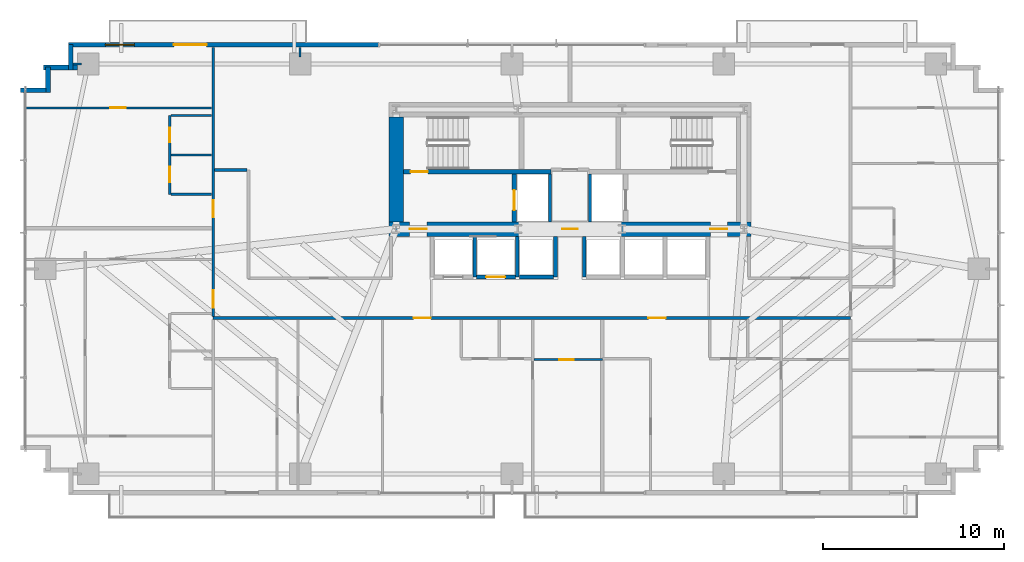
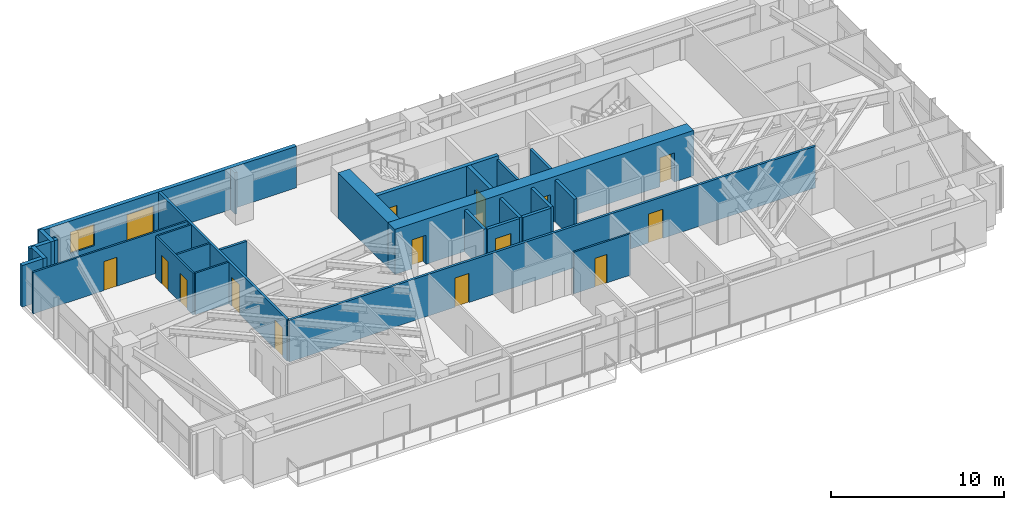
# One storey, part 20 of 25: 28 walls, 15 doors, 1 window, 16 openings.
"""IFC4 building model written with IfcOpenShell, lengths in metres."""

from ifc_helpers import new_model, si_unit, direction, frame, frame_2d, origin, place, context, subcontext, project, spatial, rectangle, extrude, source, transform, mapped, material, layer, layer_set, type_object, type_shapes, element, fill, save


model = new_model("IFC4")

# Units and contexts
model_context = context("Model", 3, precision=1e-05, world=origin(), true_north=direction((0.0, 1.0)))
body_context = subcontext(model_context, "Body", "Model", "MODEL_VIEW")
ifc_project = project(units=[si_unit("LENGTHUNIT", "METRE"), si_unit("AREAUNIT", "SQUARE_METRE"), si_unit("VOLUMEUNIT", "CUBIC_METRE"), si_unit("PLANEANGLEUNIT", "RADIAN"), si_unit("MASSUNIT", "GRAM", prefix="KILO")], contexts=[model_context])

# Site, building, storey
site_placement = place(None, origin())
site = spatial("IfcSite", under=ifc_project, at=site_placement, CompositionType="ELEMENT")
building_placement = place(site_placement, origin())
building = spatial("IfcBuilding", under=site, at=building_placement, Name="Astriad Promenade Condominiums", CompositionType="ELEMENT")
storey_placement = place(building_placement, frame((0.0, 0.0, 39.0)))
storey = spatial("IfcBuildingStorey", under=building, at=storey_placement, Name="L10", CompositionType="ELEMENT", Elevation=39.0)

# Wall, openings, doors
ifc_material_1 = material(Name="Concrete C80/95", Category="concrete")
ifc_layer_1 = layer(ifc_material_1, 0.800048828125)
ifc_layer_set_1 = layer_set([ifc_layer_1], Name="Concrete C80/95")
wall_type_1 = type_object("IfcWallType", Name="CW-SHEAR-800", PredefinedType="SHEAR", material=ifc_layer_set_1)
wall_1_placement = place(storey_placement, frame((26.0, 17.39990234375, 0.0), z_axis=(0.0, 0.0, 1.0), x_axis=(1.0, 0.0, 0.0)))
wall_1 = element("IfcWall", 1, at=wall_1_placement, inside=storey, type_object=wall_type_1, Name="CW-CORE-S-L10", PredefinedType="SHEAR", context=body_context, shape_type="SweptSolid", body=[
    extrude(rectangle(XDim=20.0, YDim=0.800048828125, at=frame_2d((10.0, 0.0))), origin(), (0.0, 0.0, 1.0), 3.199951171875),
])
opening_1_placement = place(wall_1_placement, frame((1.14990234375, 0.0, 0.0)))
opening_1 = element("IfcOpeningElement", 2, at=opening_1_placement, cuts=wall_1, Name="Opening FD90-ST-095", PredefinedType="OPENING", context=body_context, shape_type="SweptSolid", body=[
    extrude(rectangle(XDim=0.949951171875, YDim=2.06005859375, at=frame_2d((0.47509765625, 1.030029296875))), frame((0.0, 0.409912109375, 0.0), z_axis=(0.0, -1.0, 0.0), x_axis=(1.0, 0.0, 0.0)), (0.0, 0.0, 1.0), 0.820068359375),
])
opening_2_placement = place(wall_1_placement, frame((9.580078125, 0.0, 0.0)))
opening_2 = element("IfcOpeningElement", 3, at=opening_2_placement, cuts=wall_1, Name="Opening FD60-ULOW-085", PredefinedType="OPENING", context=body_context, shape_type="SweptSolid", body=[
    extrude(rectangle(XDim=0.85009765625, YDim=2.0, at=frame_2d((0.425048828125, 1.0))), frame((0.0, 0.409912109375, 0.0), z_axis=(0.0, -1.0, 0.0), x_axis=(1.0, 0.0, 0.0)), (0.0, 0.0, 1.0), 0.820068359375),
])
opening_3_placement = place(wall_1_placement, frame((17.75, 0.0, 0.0)))
opening_3 = element("IfcOpeningElement", 4, at=opening_3_placement, cuts=wall_1, Name="Opening FD90-ST-095", PredefinedType="OPENING", context=body_context, shape_type="SweptSolid", body=[
    extrude(rectangle(XDim=0.949951171875, YDim=2.06005859375, at=frame_2d((0.47509765625, 1.030029296875))), frame((0.0, 0.409912109375, 0.0), z_axis=(0.0, -1.0, 0.0), x_axis=(1.0, 0.0, 0.0)), (0.0, 0.0, 1.0), 0.820068359375),
])
ifc_material_2 = material(Name="Fire-Rated Hollow Metal Stair Door")
door_type_1 = type_object("IfcDoorType", Name="FD90-ST-095", OperationType="NOTDEFINED", PredefinedType="DOOR", material=ifc_material_2)
shared_shape_1 = source(origin(), body_context, "Body", "SweptSolid", [
    extrude(rectangle(XDim=0.949951171875, YDim=2.06005859375, at=frame_2d((0.47509765625, 1.030029296875))), frame((0.0, 0.02490234375, 0.0), z_axis=(0.0, -1.0, 0.0), x_axis=(1.0, 0.0, 0.0)), (0.0, 0.0, 1.0), 0.050048828125),
])
type_shapes(door_type_1, [shared_shape_1])
door_1_placement = place(opening_1_placement, origin())
door_1 = element("IfcDoor", 5, at=door_1_placement, inside=storey, type_object=door_type_1, Name="D-FFW-L10", OperationType="SINGLE_SWING_LEFT", OverallHeight=2.06005859375, OverallWidth=0.949951171875, PredefinedType="DOOR", context=body_context, shape_type="MappedRepresentation", body=[
    mapped(shared_shape_1, transform((0.0, 0.0, 0.0), scale=1.0)),
])
fill(opening_1, door_1)
door_2_placement = place(opening_3_placement, origin())
door_2 = element("IfcDoor", 6, at=door_2_placement, inside=storey, type_object=door_type_1, Name="D-FFE-L10", OperationType="SINGLE_SWING_RIGHT", OverallHeight=2.06005859375, OverallWidth=0.949951171875, PredefinedType="DOOR", context=body_context, shape_type="MappedRepresentation", body=[
    mapped(shared_shape_1, transform((0.0, 0.0, 0.0), scale=1.0)),
])
fill(opening_3, door_2)
ifc_material_3 = material(Name="Solid-Core Low-Headroom Fire Door")
door_type_2 = type_object("IfcDoorType", Name="FD60-ULOW-085", OperationType="NOTDEFINED", PredefinedType="DOOR", material=ifc_material_3)
shared_shape_2 = source(origin(), body_context, "Body", "SweptSolid", [
    extrude(rectangle(XDim=0.85009765625, YDim=2.0, at=frame_2d((0.425048828125, 1.0))), frame((0.0, 0.02490234375, 0.0), z_axis=(0.0, -1.0, 0.0), x_axis=(1.0, 0.0, 0.0)), (0.0, 0.0, 1.0), 0.050048828125),
])
type_shapes(door_type_2, [shared_shape_2])
door_3_placement = place(opening_2_placement, origin())
door_3 = element("IfcDoor", 7, at=door_3_placement, inside=storey, type_object=door_type_2, Name="D-CSL-L10", OperationType="SINGLE_SWING_RIGHT", OverallHeight=2.0, OverallWidth=0.85009765625, PredefinedType="DOOR", context=body_context, shape_type="MappedRepresentation", body=[
    mapped(shared_shape_2, transform((0.0, 0.0, 0.0), scale=1.0)),
])
fill(opening_2, door_3)

# Wall
wall_2_placement = place(storey_placement, frame((26.39990234375, 17.802001953125, 0.0), z_axis=(0.0, 0.0, 1.0), x_axis=(0.0, 1.0, 0.0)))
element("IfcWall", 8, at=wall_2_placement, inside=storey, type_object=wall_type_1, Name="CW-CORE-W-L10", PredefinedType="SHEAR", context=body_context, shape_type="SweptSolid", body=[
    extrude(rectangle(XDim=5.7958984375, YDim=0.800048828125, at=frame_2d((2.89794921875, 0.0))), origin(), (0.0, 0.0, 1.0), 3.199951171875),
])

# Wall, opening, door
ifc_material_4 = material(Name="Concrete C50/60", Category="concrete")
ifc_layer_2 = layer(ifc_material_4, 0.25)
ifc_layer_set_2 = layer_set([ifc_layer_2], Name="Concrete C50/60")
wall_type_2 = type_object("IfcWallType", Name="WALL-CORE-INT-250", PredefinedType="SOLIDWALL", material=ifc_layer_set_2)
wall_3_placement = place(storey_placement, frame((26.802001953125, 20.574951171875, 0.0), z_axis=(0.0, 0.0, 1.0), x_axis=(1.0, 0.0, 0.0)))
wall_3 = element("IfcWall", 9, at=wall_3_placement, inside=storey, type_object=wall_type_2, Name="CW-INT-H1-L10", PredefinedType="SOLIDWALL", context=body_context, shape_type="SweptSolid", body=[
    extrude(rectangle(XDim=8.14794921875, YDim=0.25, at=frame_2d((4.073974609375, 0.0))), origin(), (0.0, 0.0, 1.0), 3.199951171875),
])
opening_4_placement = place(wall_3_placement, frame((0.39794921875, 0.0, 0.0)))
opening_4 = element("IfcOpeningElement", 10, at=opening_4_placement, cuts=wall_3, Name="Opening FD90-ST-095", PredefinedType="OPENING", context=body_context, shape_type="SweptSolid", body=[
    extrude(rectangle(XDim=0.949951171875, YDim=2.06005859375, at=frame_2d((0.47509765625, 1.030029296875))), frame((0.0, 0.135009765625, 0.0), z_axis=(0.0, -1.0, 0.0), x_axis=(1.0, 0.0, 0.0)), (0.0, 0.0, 1.0), 0.27001953125),
])
door_4_placement = place(opening_4_placement, origin())
door_4 = element("IfcDoor", 11, at=door_4_placement, inside=storey, type_object=door_type_1, Name="D-ST1-L10", OperationType="SINGLE_SWING_LEFT", OverallHeight=2.06005859375, OverallWidth=0.949951171875, PredefinedType="DOOR", context=body_context, shape_type="MappedRepresentation", body=[
    mapped(shared_shape_1, transform((0.0, 0.0, 0.0), scale=1.0)),
])
fill(opening_4, door_4)

wall_4_placement = place(storey_placement, frame((32.925048828125, 17.802001953125, 0.0), z_axis=(0.0, 0.0, 1.0), x_axis=(0.0, 1.0, 0.0)))
wall_4 = element("IfcWall", 12, at=wall_4_placement, inside=storey, type_object=wall_type_2, Name="CW-FFL1-W-L10", PredefinedType="SOLIDWALL", context=body_context, shape_type="SweptSolid", body=[
    extrude(rectangle(XDim=2.64599609375, YDim=0.25, at=frame_2d((1.322998046875, 0.0))), origin(), (0.0, 0.0, 1.0), 3.199951171875),
])
opening_5_placement = place(wall_4_placement, frame((0.64794921875, 0.0, 0.0)))
opening_5 = element("IfcOpeningElement", 13, at=opening_5_placement, cuts=wall_4, Name="Opening LD-FFL-1122", PredefinedType="OPENING", context=body_context, shape_type="SweptSolid", body=[
    extrude(rectangle(XDim=1.10009765625, YDim=2.080078125, at=frame_2d((0.550048828125, 1.0400390625))), frame((0.0, 0.135009765625, 0.0), z_axis=(0.0, -1.0, 0.0), x_axis=(1.0, 0.0, 0.0)), (0.0, 0.0, 1.0), 0.27001953125),
])
ifc_material_5 = material(Name="Brushed Stainless Steel Fire Elevator Landing Door", Category="steel")
door_type_3 = type_object("IfcDoorType", Name="LD-FFL-1122", OperationType="NOTDEFINED", PredefinedType="DOOR", material=ifc_material_5)
shared_shape_3 = source(origin(), body_context, "Body", "SweptSolid", [
    extrude(rectangle(XDim=1.10009765625, YDim=2.080078125, at=frame_2d((0.550048828125, 1.0400390625))), frame((0.0, 0.02490234375, 0.0), z_axis=(0.0, -1.0, 0.0), x_axis=(1.0, 0.0, 0.0)), (0.0, 0.0, 1.0), 0.050048828125),
])
type_shapes(door_type_3, [shared_shape_3])
door_5_placement = place(opening_5_placement, origin())
door_5 = element("IfcDoor", 14, at=door_5_placement, inside=storey, type_object=door_type_3, Name="Elevator Landing Door FFL-1 (L10)", OperationType="SLIDING_TO_LEFT", OverallHeight=2.080078125, OverallWidth=1.10009765625, PredefinedType="DOOR", context=body_context, shape_type="MappedRepresentation", body=[
    mapped(shared_shape_3, transform((0.0, 0.0, 0.0), scale=1.0)),
])
fill(opening_5, door_5)

# Walls
ifc_material_6 = material(Name="Fire-Rated Gypsum Partition")
ifc_layer_3 = layer(ifc_material_6, 0.159912109375)
ifc_layer_set_3 = layer_set([ifc_layer_3], Name="Fire-Rated Gypsum Partition")
wall_type_3 = type_object("IfcWallType", Name="WALL-CORR-160", PredefinedType="PARTITIONING", material=ifc_layer_set_3)
for number, where, z_axis, x_axis, name in (
    (15, (34.89990234375, 17.802001953125, 0.0), (0.0, 0.0, 1.0), (0.0, 1.0, 0.0), "CW-FFL1-E-L10"),
    (16, (37.10009765625, 17.802001953125, 0.0), (0.0, 0.0, 1.0), (0.0, 1.0, 0.0), "CW-FFL2-W-L10"),
):
    element("IfcWall", number, at=place(storey_placement, frame(where, z_axis=z_axis, x_axis=x_axis)), inside=storey, type_object=wall_type_3, Name=name, PredefinedType="PARTITIONING", context=body_context, shape_type="SweptSolid", body=[
        extrude(rectangle(XDim=2.64599609375, YDim=0.159912109375, at=frame_2d((1.322998046875, 0.0))), origin(), (0.0, 0.0, 1.0), 2.93994140625),
    ])

# Wall, openings, doors
wall_5_placement = place(storey_placement, frame((16.300048828125, 12.489990234375, 0.0), z_axis=(0.0, 0.0, 1.0), x_axis=(1.0, 0.0, 0.0)))
wall_5 = element("IfcWall", 17, at=wall_5_placement, inside=storey, type_object=wall_type_3, Name="PT-COR-S-L10", PredefinedType="PARTITIONING", context=body_context, shape_type="SweptSolid", body=[
    extrude(rectangle(XDim=35.199951171875, YDim=0.159912109375, at=frame_2d((17.60009765625, 0.0))), origin(), (0.0, 0.0, 1.0), 2.93994140625),
])
opening_6_placement = place(wall_5_placement, frame((11.072021484375, 0.0, 0.0)))
opening_6 = element("IfcOpeningElement", 18, at=opening_6_placement, cuts=wall_5, Name="Opening FD60-APT-095", PredefinedType="OPENING", context=body_context, shape_type="SweptSolid", body=[
    extrude(rectangle(XDim=0.949951171875, YDim=2.06005859375, at=frame_2d((0.47509765625, 1.030029296875))), frame((0.0, 0.08984375, 0.0), z_axis=(0.0, -1.0, 0.0), x_axis=(1.0, 0.0, 0.0)), (0.0, 0.0, 1.0), 0.179931640625),
])
opening_7_placement = place(wall_5_placement, frame((24.031982421875, 0.0, 0.0)))
opening_7 = element("IfcOpeningElement", 19, at=opening_7_placement, cuts=wall_5, Name="Opening FD60-APT-095", PredefinedType="OPENING", context=body_context, shape_type="SweptSolid", body=[
    extrude(rectangle(XDim=0.949951171875, YDim=2.06005859375, at=frame_2d((0.47509765625, 1.030029296875))), frame((0.0, 0.08984375, 0.0), z_axis=(0.0, -1.0, 0.0), x_axis=(1.0, 0.0, 0.0)), (0.0, 0.0, 1.0), 0.179931640625),
])
ifc_material_7 = material(Name="Solid-Core Acoustic Timber Residence Entry Door", Category="wood")
door_type_4 = type_object("IfcDoorType", Name="FD60-APT-095", OperationType="NOTDEFINED", PredefinedType="DOOR", material=ifc_material_7)
shared_shape_4 = source(origin(), body_context, "Body", "SweptSolid", [
    extrude(rectangle(XDim=0.949951171875, YDim=2.06005859375, at=frame_2d((0.47509765625, 1.030029296875))), frame((0.0, 0.02490234375, 0.0), z_axis=(0.0, -1.0, 0.0), x_axis=(1.0, 0.0, 0.0)), (0.0, 0.0, 1.0), 0.050048828125),
])
type_shapes(door_type_4, [shared_shape_4])
door_6_placement = place(opening_6_placement, origin())
door_6 = element("IfcDoor", 20, at=door_6_placement, inside=storey, type_object=door_type_4, Name="D-ENT-L10-S1", OperationType="SINGLE_SWING_RIGHT", OverallHeight=2.06005859375, OverallWidth=0.949951171875, PredefinedType="DOOR", context=body_context, shape_type="MappedRepresentation", body=[
    mapped(shared_shape_4, transform((0.0, 0.0, 0.0), scale=1.0)),
])
fill(opening_6, door_6)
door_7_placement = place(opening_7_placement, origin())
door_7 = element("IfcDoor", 21, at=door_7_placement, inside=storey, type_object=door_type_4, Name="D-ENT-L10-S2", OperationType="SINGLE_SWING_RIGHT", OverallHeight=2.06005859375, OverallWidth=0.949951171875, PredefinedType="DOOR", context=body_context, shape_type="MappedRepresentation", body=[
    mapped(shared_shape_4, transform((0.0, 0.0, 0.0), scale=1.0)),
])
fill(opening_7, door_7)

wall_6_placement = place(storey_placement, frame((16.300048828125, 12.572021484375, 0.0), z_axis=(0.0, 0.0, 1.0), x_axis=(0.0, 1.0, 0.0)))
wall_6 = element("IfcWall", 22, at=wall_6_placement, inside=storey, type_object=wall_type_3, Name="PT-COR-W-L10-S2", PredefinedType="PARTITIONING", context=body_context, shape_type="SweptSolid", body=[
    extrude(rectangle(XDim=14.865966796875, YDim=0.159912109375, at=frame_2d((7.43310546875, 0.0))), origin(), (0.0, 0.0, 1.0), 2.93994140625),
])
opening_8_placement = place(wall_6_placement, frame((0.492919921875, 0.0, 0.0)))
opening_8 = element("IfcOpeningElement", 23, at=opening_8_placement, cuts=wall_6, Name="Opening FD60-APT-095", PredefinedType="OPENING", context=body_context, shape_type="SweptSolid", body=[
    extrude(rectangle(XDim=0.949951171875, YDim=2.06005859375, at=frame_2d((0.47509765625, 1.030029296875))), frame((0.0, 0.08984375, 0.0), z_axis=(0.0, -1.0, 0.0), x_axis=(1.0, 0.0, 0.0)), (0.0, 0.0, 1.0), 0.179931640625),
])
opening_9_placement = place(wall_6_placement, frame((5.472900390625, 0.0, 0.0)))
opening_9 = element("IfcOpeningElement", 24, at=opening_9_placement, cuts=wall_6, Name="Opening FD60-APT-095", PredefinedType="OPENING", context=body_context, shape_type="SweptSolid", body=[
    extrude(rectangle(XDim=0.949951171875, YDim=2.06005859375, at=frame_2d((0.47509765625, 1.030029296875))), frame((0.0, 0.08984375, 0.0), z_axis=(0.0, -1.0, 0.0), x_axis=(1.0, 0.0, 0.0)), (0.0, 0.0, 1.0), 0.179931640625),
])
door_8_placement = place(opening_8_placement, origin())
door_8 = element("IfcDoor", 25, at=door_8_placement, inside=storey, type_object=door_type_4, Name="D-ENT-L10-W1", OperationType="SINGLE_SWING_RIGHT", OverallHeight=2.06005859375, OverallWidth=0.949951171875, PredefinedType="DOOR", context=body_context, shape_type="MappedRepresentation", body=[
    mapped(shared_shape_4, transform((0.0, 0.0, 0.0), scale=1.0)),
])
fill(opening_8, door_8)
door_9_placement = place(opening_9_placement, origin())
door_9 = element("IfcDoor", 26, at=door_9_placement, inside=storey, type_object=door_type_4, Name="D-ENT-L10-W2", OperationType="SINGLE_SWING_RIGHT", OverallHeight=2.06005859375, OverallWidth=0.949951171875, PredefinedType="DOOR", context=body_context, shape_type="MappedRepresentation", body=[
    mapped(shared_shape_4, transform((0.0, 0.0, 0.0), scale=1.0)),
])
fill(opening_9, door_9)

# Walls
wall_7_placement = place(storey_placement, frame((16.382080078125, 20.64990234375, 0.0), z_axis=(0.0, 0.0, 1.0), x_axis=(1.0, 0.0, 0.0)))
element("IfcWall", 27, at=wall_7_placement, inside=storey, type_object=wall_type_3, Name="PT-WALC-N-L10", PredefinedType="PARTITIONING", context=body_context, shape_type="SweptSolid", body=[
    extrude(rectangle(XDim=1.785888671875, YDim=0.159912109375, at=frame_2d((0.89306640625, 0.0))), origin(), (0.0, 0.0, 1.0), 2.93994140625),
])
ifc_material_8 = material(Name="Precast concrete C50/60", Category="concrete")
ifc_layer_4 = layer(ifc_material_8, 0.260009765625)
ifc_layer_set_4 = layer_set([ifc_layer_4], Name="Precast concrete C50/60")
wall_type_4 = type_object("IfcWallType", Name="WALL-EXT-TWR-260", PredefinedType="STANDARD", material=ifc_layer_set_4)
for number, where, z_axis, x_axis, name in (
    (28, (5.669921875, 25.070068359375, 0.0), (0.0, 0.0, 1.0), (1.0, 0.0, 0.0), "W-SER-L10-04"),
    (29, (7.179931640625, 24.93994140625, 0.0), (0.0, 0.0, 1.0), (0.0, 1.0, 0.0), "W-SER-L10-05"),
):
    element("IfcWall", number, at=place(storey_placement, frame(where, z_axis=z_axis, x_axis=x_axis)), inside=storey, type_object=wall_type_4, Name=name, PredefinedType="STANDARD", context=body_context, shape_type="SweptSolid", body=[
        extrude(rectangle(XDim=1.39501953125, YDim=0.260009765625, at=frame_2d((0.697509765625, 0.0))), origin(), (0.0, 0.0, 1.0), 2.93994140625),
    ])
wall_8_placement = place(storey_placement, frame((6.919921875, 26.320068359375, 0.0), z_axis=(0.0, 0.0, 1.0), x_axis=(1.0, 0.0, 0.0)))
element("IfcWall", 30, at=wall_8_placement, inside=storey, type_object=wall_type_4, Name="W-SER-L10-06", PredefinedType="STANDARD", context=body_context, shape_type="SweptSolid", body=[
    extrude(rectangle(XDim=1.878173828125, YDim=0.260009765625, at=frame_2d((0.93896484375, 0.0))), origin(), (0.0, 0.0, 1.0), 2.93994140625),
])
wall_9_placement = place(storey_placement, frame((8.429931640625, 26.18994140625, 0.0), z_axis=(0.0, 0.0, 1.0), x_axis=(0.0, 1.0, 0.0)))
element("IfcWall", 31, at=wall_9_placement, inside=storey, type_object=wall_type_4, Name="W-SER-L10-07", PredefinedType="STANDARD", context=body_context, shape_type="SweptSolid", body=[
    extrude(rectangle(XDim=1.39501953125, YDim=0.260009765625, at=frame_2d((0.697509765625, 0.0))), origin(), (0.0, 0.0, 1.0), 2.93994140625),
])

# Wall, openings, door, window
wall_10_placement = place(storey_placement, frame((8.300048828125, 27.570068359375, 0.0), z_axis=(0.0, 0.0, 1.0), x_axis=(1.0, 0.0, 0.0)))
wall_10 = element("IfcWall", 32, at=wall_10_placement, inside=storey, type_object=wall_type_4, Name="W-EXT-L10-N1", PredefinedType="STANDARD", context=body_context, shape_type="SweptSolid", body=[
    extrude(rectangle(XDim=17.14990234375, YDim=0.260009765625, at=frame_2d((8.574951171875, 0.0))), origin(), (0.0, 0.0, 1.0), 2.93994140625),
])
opening_10_placement = place(wall_10_placement, frame((5.8330078125, 0.0, 0.0)))
opening_10 = element("IfcOpeningElement", 33, at=opening_10_placement, cuts=wall_10, Name="Opening BD-1822-SLD", PredefinedType="OPENING", context=body_context, shape_type="SweptSolid", body=[
    extrude(rectangle(XDim=1.800048828125, YDim=2.06005859375, at=frame_2d((0.89990234375, 1.030029296875))), frame((0.0, 0.139892578125, 0.0), z_axis=(0.0, -1.0, 0.0), x_axis=(1.0, 0.0, 0.0)), (0.0, 0.0, 1.0), 0.280029296875),
])
opening_11_placement = place(wall_10_placement, frame((2.050048828125, 0.0, 0.64990234375)))
opening_11 = element("IfcOpeningElement", 34, at=opening_11_placement, cuts=wall_10, Name="Opening WIN-TWR-1620", PredefinedType="OPENING", context=body_context, shape_type="SweptSolid", body=[
    extrude(rectangle(XDim=1.60009765625, YDim=1.5, at=frame_2d((0.800048828125, 0.75))), frame((0.0, 0.139892578125, 0.0), z_axis=(0.0, -1.0, 0.0), x_axis=(1.0, 0.0, 0.0)), (0.0, 0.0, 1.0), 0.280029296875),
])
ifc_material_9 = material(Name="Thermally Broken Aluminium Sliding Balcony Door", Category="aluminium")
door_type_5 = type_object("IfcDoorType", Name="BD-1822-SLD", OperationType="NOTDEFINED", PredefinedType="DOOR", material=ifc_material_9)
shared_shape_5 = source(origin(), body_context, "Body", "SweptSolid", [
    extrude(rectangle(XDim=1.800048828125, YDim=2.06005859375, at=frame_2d((0.89990234375, 1.030029296875))), frame((0.0, 0.02490234375, 0.0), z_axis=(0.0, -1.0, 0.0), x_axis=(1.0, 0.0, 0.0)), (0.0, 0.0, 1.0), 0.050048828125),
])
type_shapes(door_type_5, [shared_shape_5])
door_10_placement = place(opening_10_placement, origin())
door_10 = element("IfcDoor", 35, at=door_10_placement, inside=storey, type_object=door_type_5, Name="BD-L10-NW", OperationType="SLIDING_TO_LEFT", OverallHeight=2.06005859375, OverallWidth=1.800048828125, PredefinedType="DOOR", context=body_context, shape_type="MappedRepresentation", body=[
    mapped(shared_shape_5, transform((0.0, 0.0, 0.0), scale=1.0)),
])
fill(opening_10, door_10)
ifc_material_10 = material(Name="Dark Tinted Triple-Glazed Aluminium Window", Category="aluminium")
window_type = type_object("IfcWindowType", Name="WIN-TWR-1620", PartitioningType="SINGLE_PANEL", PredefinedType="WINDOW", material=ifc_material_10)
shared_shape_6 = source(origin(), body_context, "Body", "SweptSolid", [
    extrude(rectangle(XDim=1.60009765625, YDim=1.5, at=frame_2d((0.800048828125, 0.75))), frame((0.0, 0.030029296875, 0.0), z_axis=(0.0, -1.0, 0.0), x_axis=(1.0, 0.0, 0.0)), (0.0, 0.0, 1.0), 0.06005859375),
])
type_shapes(window_type, [shared_shape_6])
window_placement = place(opening_11_placement, origin())
window = element("IfcWindow", 36, at=window_placement, inside=storey, type_object=window_type, Name="WIN-L10-NW", OverallHeight=1.5, OverallWidth=1.60009765625, PartitioningType="SINGLE_PANEL", PredefinedType="WINDOW", context=body_context, shape_type="MappedRepresentation", body=[
    mapped(shared_shape_6, transform((0.0, 0.0, 0.0), scale=1.0)),
])
fill(opening_11, window)

# Wall, opening, door
ifc_material_11 = material(Name="Acoustic Metal-Stud Gypsum Partition")
ifc_layer_5 = layer(ifc_material_11, 0.1201171875)
ifc_layer_set_5 = layer_set([ifc_layer_5], Name="Acoustic Metal-Stud Gypsum Partition")
wall_type_5 = type_object("IfcWallType", Name="WALL-PART-120", PredefinedType="PARTITIONING", material=ifc_layer_set_5)
wall_11_placement = place(storey_placement, frame((34.006103515625, 10.18994140625, 0.0), z_axis=(0.0, 0.0, 1.0), x_axis=(1.0, 0.0, 0.0)))
wall_11 = element("IfcWall", 37, at=wall_11_placement, inside=storey, type_object=wall_type_5, Name="PT-L10-S1-ENS", PredefinedType="PARTITIONING", context=body_context, shape_type="SweptSolid", body=[
    extrude(rectangle(XDim=3.787841796875, YDim=0.1201171875, at=frame_2d((1.89404296875, 0.0))), origin(), (0.0, 0.0, 1.0), 2.93994140625),
])
opening_12_placement = place(wall_11_placement, frame((1.4130859375, 0.0, 0.0)))
opening_12 = element("IfcOpeningElement", 38, at=opening_12_placement, cuts=wall_11, Name="Opening D-WET-080", PredefinedType="OPENING", context=body_context, shape_type="SweptSolid", body=[
    extrude(rectangle(XDim=0.800048828125, YDim=2.02001953125, at=frame_2d((0.39990234375, 1.010009765625))), frame((0.0, 0.070068359375, 0.0), z_axis=(0.0, -1.0, 0.0), x_axis=(1.0, 0.0, 0.0)), (0.0, 0.0, 1.0), 0.14013671875),
])
ifc_material_12 = material(Name="Moisture-Resistant Timber Bathroom Door", Category="wood")
door_type_6 = type_object("IfcDoorType", Name="D-WET-080", OperationType="NOTDEFINED", PredefinedType="DOOR", material=ifc_material_12)
shared_shape_7 = source(origin(), body_context, "Body", "SweptSolid", [
    extrude(rectangle(XDim=0.800048828125, YDim=2.02001953125, at=frame_2d((0.39990234375, 1.010009765625))), frame((0.0, 0.02490234375, 0.0), z_axis=(0.0, -1.0, 0.0), x_axis=(1.0, 0.0, 0.0)), (0.0, 0.0, 1.0), 0.050048828125),
])
type_shapes(door_type_6, [shared_shape_7])
door_11_placement = place(opening_12_placement, origin())
door_11 = element("IfcDoor", 39, at=door_11_placement, inside=storey, type_object=door_type_6, Name="D-ENS-L10-S1", OperationType="SINGLE_SWING_RIGHT", OverallHeight=2.02001953125, OverallWidth=0.800048828125, PredefinedType="DOOR", context=body_context, shape_type="MappedRepresentation", body=[
    mapped(shared_shape_7, transform((0.0, 0.0, 0.0), scale=1.0)),
])
fill(opening_12, door_11)

# Wall, openings, doors
wall_12_placement = place(storey_placement, frame((13.89990234375, 19.320068359375, 0.0), z_axis=(0.0, 0.0, 1.0), x_axis=(0.0, 1.0, 0.0)))
wall_12 = element("IfcWall", 40, at=wall_12_placement, inside=storey, type_object=wall_type_5, Name="PT-L10-W2-PV", PredefinedType="PARTITIONING", context=body_context, shape_type="SweptSolid", body=[
    extrude(rectangle(XDim=4.349853515625, YDim=0.1201171875, at=frame_2d((2.1748046875, 0.0))), origin(), (0.0, 0.0, 1.0), 2.93994140625),
])
opening_13_placement = place(wall_12_placement, frame((0.662109375, 0.0, 0.0)))
opening_13 = element("IfcOpeningElement", 41, at=opening_13_placement, cuts=wall_12, Name="Opening D-INT-085", PredefinedType="OPENING", context=body_context, shape_type="SweptSolid", body=[
    extrude(rectangle(XDim=0.85009765625, YDim=2.050048828125, at=frame_2d((0.425048828125, 1.02490234375))), frame((0.0, 0.070068359375, 0.0), z_axis=(0.0, -1.0, 0.0), x_axis=(1.0, 0.0, 0.0)), (0.0, 0.0, 1.0), 0.14013671875),
])
opening_14_placement = place(wall_12_placement, frame((2.863037109375, 0.0, 0.0)))
opening_14 = element("IfcOpeningElement", 42, at=opening_14_placement, cuts=wall_12, Name="Opening D-WET-080", PredefinedType="OPENING", context=body_context, shape_type="SweptSolid", body=[
    extrude(rectangle(XDim=0.800048828125, YDim=2.02001953125, at=frame_2d((0.39990234375, 1.010009765625))), frame((0.0, 0.070068359375, 0.0), z_axis=(0.0, -1.0, 0.0), x_axis=(1.0, 0.0, 0.0)), (0.0, 0.0, 1.0), 0.14013671875),
])
door_12_placement = place(opening_14_placement, origin())
door_12 = element("IfcDoor", 43, at=door_12_placement, inside=storey, type_object=door_type_6, Name="D-BTH-L10-W2", OperationType="SINGLE_SWING_RIGHT", OverallHeight=2.02001953125, OverallWidth=0.800048828125, PredefinedType="DOOR", context=body_context, shape_type="MappedRepresentation", body=[
    mapped(shared_shape_7, transform((0.0, 0.0, 0.0), scale=1.0)),
])
fill(opening_14, door_12)
ifc_material_13 = material(Name="Painted Solid-Core Timber Room Door", Category="wood")
door_type_7 = type_object("IfcDoorType", Name="D-INT-085", OperationType="NOTDEFINED", PredefinedType="DOOR", material=ifc_material_13)
shared_shape_8 = source(origin(), body_context, "Body", "SweptSolid", [
    extrude(rectangle(XDim=0.85009765625, YDim=2.050048828125, at=frame_2d((0.425048828125, 1.02490234375))), frame((0.0, 0.02490234375, 0.0), z_axis=(0.0, -1.0, 0.0), x_axis=(1.0, 0.0, 0.0)), (0.0, 0.0, 1.0), 0.050048828125),
])
type_shapes(door_type_7, [shared_shape_8])
door_13_placement = place(opening_13_placement, origin())
door_13 = element("IfcDoor", 44, at=door_13_placement, inside=storey, type_object=door_type_7, Name="D-KIT-L10-W2", OperationType="SINGLE_SWING_LEFT", OverallHeight=2.050048828125, OverallWidth=0.85009765625, PredefinedType="DOOR", context=body_context, shape_type="MappedRepresentation", body=[
    mapped(shared_shape_8, transform((0.0, 0.0, 0.0), scale=1.0)),
])
fill(opening_13, door_13)

# Walls
for number, where, z_axis, x_axis, name in (
    (45, (13.9619140625, 21.4951171875, 0.0), (0.0, 0.0, 1.0), (1.0, 0.0, 0.0), "PT-L10-W2-PM"),
    (46, (13.9619140625, 19.320068359375, 0.0), (0.0, 0.0, 1.0), (1.0, 0.0, 0.0), "PT-L10-W2-PS"),
    (47, (13.9619140625, 23.669921875, 0.0), (0.0, 0.0, 1.0), (1.0, 0.0, 0.0), "PT-L10-W2-PN"),
):
    element("IfcWall", number, at=place(storey_placement, frame(where, z_axis=z_axis, x_axis=x_axis)), inside=storey, type_object=wall_type_5, Name=name, PredefinedType="PARTITIONING", context=body_context, shape_type="SweptSolid", body=[
        extrude(rectangle(XDim=2.256103515625, YDim=0.1201171875, at=frame_2d((1.1279296875, 0.0))), origin(), (0.0, 0.0, 1.0), 2.93994140625),
    ])

# Wall, opening, door
wall_13_placement = place(storey_placement, frame((5.8798828125, 24.090087890625, 0.0), z_axis=(0.0, 0.0, 1.0), x_axis=(1.0, 0.0, 0.0)))
wall_13 = element("IfcWall", 48, at=wall_13_placement, inside=storey, type_object=wall_type_5, Name="PT-L10-W2-B1", PredefinedType="PARTITIONING", context=body_context, shape_type="SweptSolid", body=[
    extrude(rectangle(XDim=10.338134765625, YDim=0.1201171875, at=frame_2d((5.1689453125, 0.0))), origin(), (0.0, 0.0, 1.0), 2.93994140625),
])
opening_15_placement = place(wall_13_placement, frame((4.735107421875, 0.0, 0.0)))
opening_15 = element("IfcOpeningElement", 49, at=opening_15_placement, cuts=wall_13, Name="Opening D-INT-085", PredefinedType="OPENING", context=body_context, shape_type="SweptSolid", body=[
    extrude(rectangle(XDim=0.85009765625, YDim=2.050048828125, at=frame_2d((0.425048828125, 1.02490234375))), frame((0.0, 0.070068359375, 0.0), z_axis=(0.0, -1.0, 0.0), x_axis=(1.0, 0.0, 0.0)), (0.0, 0.0, 1.0), 0.14013671875),
])
door_14_placement = place(opening_15_placement, origin())
door_14 = element("IfcDoor", 50, at=door_14_placement, inside=storey, type_object=door_type_7, Name="D-BD1-L10-W2", OperationType="SINGLE_SWING_LEFT", OverallHeight=2.050048828125, OverallWidth=0.85009765625, PredefinedType="DOOR", context=body_context, shape_type="MappedRepresentation", body=[
    mapped(shared_shape_8, transform((0.0, 0.0, 0.0), scale=1.0)),
])
fill(opening_15, door_14)

# Walls
wall_14_placement = place(storey_placement, frame((9.02001953125, 26.52001953125, 0.0), z_axis=(0.0, 0.0, 1.0), x_axis=(-1.0, 0.0, 0.0)))
element("IfcWall", 51, at=wall_14_placement, inside=storey, type_object=wall_type_5, Name="PT-PIL-L10-PC06-13", PredefinedType="PARTITIONING", context=body_context, shape_type="SweptSolid", body=[
    extrude(rectangle(XDim=0.4580078125, YDim=0.1201171875, at=frame_2d((0.22900390625, 0.0))), origin(), (0.0, 0.0, 1.0), 2.93994140625),
])
wall_15_placement = place(storey_placement, frame((21.10009765625, 26.89990234375, 0.0), z_axis=(0.0, 0.0, 1.0), x_axis=(0.0, 1.0, 0.0)))
element("IfcWall", 52, at=wall_15_placement, inside=storey, type_object=wall_type_5, Name="PT-PIL-L10-PC07-14", PredefinedType="PARTITIONING", context=body_context, shape_type="SweptSolid", body=[
    extrude(rectangle(XDim=0.5380859375, YDim=0.1201171875, at=frame_2d((0.26904296875, 0.0))), origin(), (0.0, 0.0, 1.0), 2.93994140625),
])
ifc_material_14 = material(Name="Gypsum Shaftliner Assembly")
ifc_layer_6 = layer(ifc_material_14, 0.199951171875)
ifc_layer_set_6 = layer_set([ifc_layer_6], Name="Gypsum Shaftliner Assembly")
wall_type_6 = type_object("IfcWallType", Name="WALL-SHAFT-200", PredefinedType="PARTITIONING", material=ifc_layer_set_6)
for number, where, z_axis, x_axis, name in (
    (53, (30.75, 14.75, 0.0), (0.0, 0.0, 1.0), (0.0, 1.0, 0.0), "PL-L-DIV-L10"),
    (54, (33.10009765625, 14.75, 0.0), (0.0, 0.0, 1.0), (0.0, 1.0, 0.0), "PL-LM-DIV-L10"),
):
    element("IfcWall", number, at=place(storey_placement, frame(where, z_axis=z_axis, x_axis=x_axis)), inside=storey, type_object=wall_type_6, Name=name, PredefinedType="PARTITIONING", context=body_context, shape_type="SweptSolid", body=[
        extrude(rectangle(XDim=2.248046875, YDim=0.199951171875, at=frame_2d((1.1240234375, 0.0))), origin(), (0.0, 0.0, 1.0), 2.93994140625),
    ])

# Wall, opening, door
wall_16_placement = place(storey_placement, frame((30.85205078125, 14.75, 0.0), z_axis=(0.0, 0.0, 1.0), x_axis=(1.0, 0.0, 0.0)))
wall_16 = element("IfcWall", 55, at=wall_16_placement, inside=storey, type_object=wall_type_6, Name="PL-L-FRT-L10-S2", PredefinedType="PARTITIONING", context=body_context, shape_type="SweptSolid", body=[
    extrude(rectangle(XDim=2.14599609375, YDim=0.199951171875, at=frame_2d((1.072998046875, 0.0))), origin(), (0.0, 0.0, 1.0), 2.93994140625),
])
opening_16_placement = place(wall_16_placement, frame((0.52294921875, 0.0, 0.0)))
opening_16 = element("IfcOpeningElement", 56, at=opening_16_placement, cuts=wall_16, Name="Opening LD-PL-10522", PredefinedType="OPENING", context=body_context, shape_type="SweptSolid", body=[
    extrude(rectangle(XDim=1.050048828125, YDim=2.080078125, at=frame_2d((0.52490234375, 1.0400390625))), frame((0.0, 0.10986328125, 0.0), z_axis=(0.0, -1.0, 0.0), x_axis=(1.0, 0.0, 0.0)), (0.0, 0.0, 1.0), 0.219970703125),
])
ifc_material_15 = material(Name="Brushed Bronze Passenger Elevator Landing Door")
door_type_8 = type_object("IfcDoorType", Name="LD-PL-10522", OperationType="NOTDEFINED", PredefinedType="DOOR", material=ifc_material_15)
shared_shape_9 = source(origin(), body_context, "Body", "SweptSolid", [
    extrude(rectangle(XDim=1.050048828125, YDim=2.080078125, at=frame_2d((0.52490234375, 1.0400390625))), frame((0.0, 0.02490234375, 0.0), z_axis=(0.0, -1.0, 0.0), x_axis=(1.0, 0.0, 0.0)), (0.0, 0.0, 1.0), 0.050048828125),
])
type_shapes(door_type_8, [shared_shape_9])
door_15_placement = place(opening_16_placement, origin())
door_15 = element("IfcDoor", 57, at=door_15_placement, inside=storey, type_object=door_type_8, Name="Elevator Landing Door PL-L2 (L10)", OperationType="SLIDING_TO_RIGHT", OverallHeight=2.080078125, OverallWidth=1.050048828125, PredefinedType="DOOR", context=body_context, shape_type="MappedRepresentation", body=[
    mapped(shared_shape_9, transform((0.0, 0.0, 0.0), scale=1.0)),
])
fill(opening_16, door_15)

# Walls
wall_17_placement = place(storey_placement, frame((35.199951171875, 14.75, 0.0), z_axis=(0.0, 0.0, 1.0), x_axis=(0.0, 1.0, 0.0)))
element("IfcWall", 58, at=wall_17_placement, inside=storey, type_object=wall_type_6, Name="PL-M1-E-L10", PredefinedType="PARTITIONING", context=body_context, shape_type="SweptSolid", body=[
    extrude(rectangle(XDim=2.248046875, YDim=0.199951171875, at=frame_2d((1.1240234375, 0.0))), origin(), (0.0, 0.0, 1.0), 2.93994140625),
])
wall_18_placement = place(storey_placement, frame((33.201904296875, 14.75, 0.0), z_axis=(0.0, 0.0, 1.0), x_axis=(1.0, 0.0, 0.0)))
element("IfcWall", 59, at=wall_18_placement, inside=storey, type_object=wall_type_6, Name="PL-M1-F-L10", PredefinedType="PARTITIONING", context=body_context, shape_type="SweptSolid", body=[
    extrude(rectangle(XDim=1.89599609375, YDim=0.199951171875, at=frame_2d((0.947998046875, 0.0))), origin(), (0.0, 0.0, 1.0), 2.93994140625),
])
wall_19_placement = place(storey_placement, frame((36.800048828125, 14.75, 0.0), z_axis=(0.0, 0.0, 1.0), x_axis=(0.0, 1.0, 0.0)))
element("IfcWall", 60, at=wall_19_placement, inside=storey, type_object=wall_type_6, Name="PL-M2-W-L10", PredefinedType="PARTITIONING", context=body_context, shape_type="SweptSolid", body=[
    extrude(rectangle(XDim=2.248046875, YDim=0.199951171875, at=frame_2d((1.1240234375, 0.0))), origin(), (0.0, 0.0, 1.0), 2.93994140625),
])

save(model, "model.ifc")
